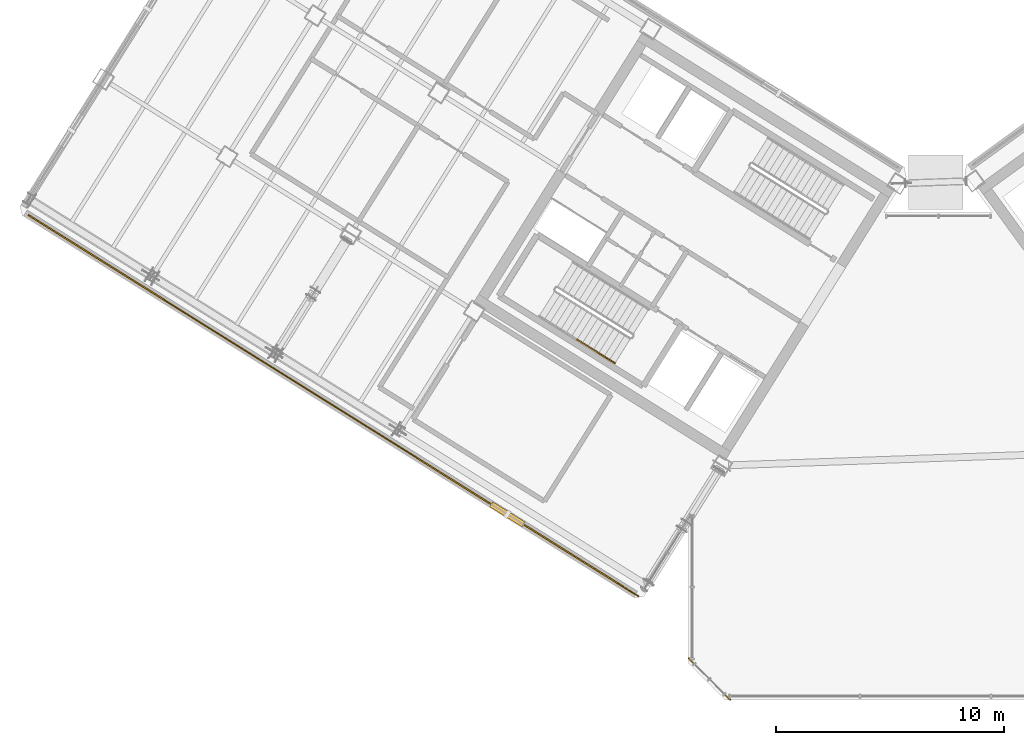
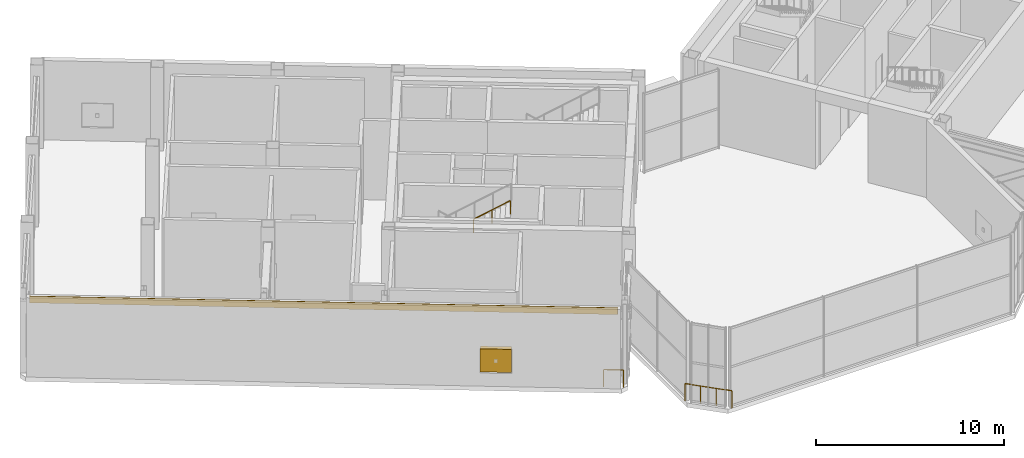
# One storey, part 25 of 32: 3 railings, 1 covering, 1 shading device.
"""IFC4 building model written with IfcOpenShell, lengths in metres."""

from ifc_helpers import new_model, si_unit, direction, frame, origin, origin_2d, place, context, subcontext, project, spatial, rectangle, extrude, source, transform, mapped, material, layer, layer_set, type_object, element, save


model = new_model("IFC4")

# Units and contexts
model_context = context("Model", 3, precision=1e-05, world=origin(), true_north=direction((0.0, 1.0)))
body_context = subcontext(model_context, "Body", "Model", "MODEL_VIEW")
ifc_project = project(units=[si_unit("LENGTHUNIT", "METRE"), si_unit("AREAUNIT", "SQUARE_METRE"), si_unit("VOLUMEUNIT", "CUBIC_METRE"), si_unit("PLANEANGLEUNIT", "RADIAN"), si_unit("MASSUNIT", "GRAM", prefix="KILO")], contexts=[model_context])

# Site, building, storey
site_placement = place(None, origin())
site = spatial("IfcSite", under=ifc_project, at=site_placement, CompositionType="ELEMENT")
building_placement = place(site_placement, origin())
building = spatial("IfcBuilding", under=site, at=building_placement, Name="Tlacorven Tower", CompositionType="ELEMENT")
storey_placement = place(building_placement, frame((0.0, 0.0, 245.699951171875)))
storey = spatial("IfcBuildingStorey", under=building, at=storey_placement, Name="L62", CompositionType="ELEMENT", Elevation=245.699951171875)

# Railings
ifc_material_1 = material(Name="Aluminium and painted steel balustrade", Category="steel")
railing_type_1 = type_object("IfcRailingType", Name="RL-GRD-1150", PredefinedType="GUARDRAIL", material=ifc_material_1)
shared_shape_1 = source(origin(), body_context, "Body", "SweptSolid", [
    extrude(rectangle(XDim=0.048095703125, YDim=0.048095703125, at=origin_2d()), frame((0.0, 0.0, 1.1259765625), z_axis=(-0.707106781187, 0.707106781187, 0.0), x_axis=(-0.707106781187, -0.707106781187, 0.0)), (0.0, 0.0, 1.0), 2.590087890625),
    extrude(rectangle(XDim=0.0419921875, YDim=0.0419921875, at=origin_2d()), origin(), (0.0, 0.0, 1.0), 1.101806640625),
    extrude(rectangle(XDim=0.0419921875, YDim=0.0419921875, at=origin_2d()), frame((-0.610595703125, 0.610595703125, 0.0)), (0.0, 0.0, 1.0), 1.101806640625),
    extrude(rectangle(XDim=0.0419921875, YDim=0.0419921875, at=origin_2d()), frame((-1.220947265625, 1.220947265625, 0.0)), (0.0, 0.0, 1.0), 1.101806640625),
    extrude(rectangle(XDim=0.0419921875, YDim=0.0419921875, at=origin_2d()), frame((-1.83154296875, 1.83154296875, 0.0)), (0.0, 0.0, 1.0), 1.101806640625),
])
railing_1_placement = place(storey_placement, frame((33.428955078125, 1.79736328125, 0.0)))
element("IfcRailing", 1, at=railing_1_placement, inside=storey, type_object=railing_type_1, Name="L62 Knuckle Glazed Sill Guard 1", PredefinedType="GUARDRAIL", context=body_context, shape_type="MappedRepresentation", body=[
    mapped(shared_shape_1, transform((0.0, 0.0, 0.0), scale=1.0)),
])
shared_shape_2 = source(origin(), body_context, "Body", "SweptSolid", [
    extrude(rectangle(XDim=0.048095703125, YDim=0.048095703125, at=origin_2d()), frame((0.0, 0.0, 1.1259765625), z_axis=(-0.848102774857, 0.529831749973, 0.0), x_axis=(-0.529831749973, -0.848102774857, 0.0)), (0.0, 0.0, 1.0), 1.050048828125),
    extrude(rectangle(XDim=0.0419921875, YDim=0.0419921875, at=origin_2d()), origin(), (0.0, 0.0, 1.0), 1.101806640625),
    extrude(rectangle(XDim=0.0419921875, YDim=0.0419921875, at=origin_2d()), frame((-0.890625, 0.556396484375, 0.0)), (0.0, 0.0, 1.0), 1.101806640625),
])
railing_2_placement = place(storey_placement, frame((29.39501953125, 6.35009765625, 0.0)))
element("IfcRailing", 2, at=railing_2_placement, inside=storey, type_object=railing_type_1, Name="L62 Knuckle Glazed Sill Guard 2", PredefinedType="GUARDRAIL", context=body_context, shape_type="MappedRepresentation", body=[
    mapped(shared_shape_2, transform((0.0, 0.0, 0.0), scale=1.0)),
])

# Covering
ifc_material_2 = material(Name="Precast concrete C45/55", Category="concrete")
ifc_layer = layer(ifc_material_2, 0.06005859375)
ifc_layer_set = layer_set([ifc_layer], Name="Precast concrete C45/55")
covering_type = type_object("IfcCoveringType", Name="CV-CLD-TERC", PredefinedType="CLADDING", material=ifc_layer_set)
shared_shape_3 = source(origin(), body_context, "Body", "SweptSolid", [
    extrude(rectangle(XDim=31.287353515625, YDim=0.06005859375, at=origin_2d()), origin(), (0.0, 0.0, 1.0), 0.419921875),
])
covering_placement = place(storey_placement, frame((15.8740234375, 14.798828125, 4.72998046875), z_axis=(0.0, 0.0, 1.0), x_axis=(-0.84804812172, 0.529919223323, 0.0)))
element("IfcCovering", 3, at=covering_placement, inside=storey, type_object=covering_type, Name="L62 Masonry-Frame Spandrel Cladding 1", PredefinedType="CLADDING", context=body_context, shape_type="MappedRepresentation", body=[
    mapped(shared_shape_3, transform((0.0, 0.0, 0.0), scale=1.0)),
])

# Shading device
ifc_material_3 = material(Name="Anodised bronze aluminium acoustic louvre", Category="aluminium")
shading_device_type = type_object("IfcShadingDeviceType", Name="SH-LVR-WND", PredefinedType="JALOUSIE", material=ifc_material_3)
shared_shape_4 = source(origin(), body_context, "Body", "SweptSolid", [
    extrude(rectangle(XDim=1.659912109375, YDim=0.25, at=origin_2d()), origin(), (0.0, 0.0, 1.0), 1.5),
])
shading_device_placement = place(storey_placement, frame((23.643310546875, 9.94384765625, 0.900146484375), z_axis=(0.0, 0.0, 1.0), x_axis=(-0.84804812172, 0.529919223323, 0.0)))
element("IfcShadingDevice", 4, at=shading_device_placement, inside=storey, type_object=shading_device_type, Name="L62 Storm-Resistant Acoustic Louvre Bank 1.1", PredefinedType="JALOUSIE", context=body_context, shape_type="MappedRepresentation", body=[
    mapped(shared_shape_4, transform((0.0, 0.0, 0.0), scale=1.0)),
])

# Railing
railing_type_2 = type_object("IfcRailingType", Name="RL-HND-0900", PredefinedType="HANDRAIL", material=ifc_material_1)
shared_shape_5 = source(origin(), body_context, "Body", "SweptSolid", [
    extrude(rectangle(XDim=0.048095703125, YDim=0.048095703125, at=origin_2d()), frame((0.0, 0.0, 0.8759765625), z_axis=(0.713353726602, -0.445741297439, 0.540778287749), x_axis=(0.52990936055, 0.848054284584, 0.0)), (0.0, 0.0, 1.0), 2.330078125),
    extrude(rectangle(XDim=0.0419921875, YDim=0.0419921875, at=origin_2d()), origin(), (0.0, 0.0, 1.0), 0.851806640625),
    extrude(rectangle(XDim=0.0419921875, YDim=0.0419921875, at=origin_2d()), frame((0.8310546875, -0.519287109375, 0.6298828125)), (0.0, 0.0, 1.0), 0.851806640625),
    extrude(rectangle(XDim=0.0419921875, YDim=0.0419921875, at=origin_2d()), frame((1.662109375, -1.03857421875, 1.260009765625)), (0.0, 0.0, 1.0), 0.851806640625),
])
railing_3_placement = place(storey_placement, frame((26.70361328125, 17.618408203125, 4.14013671875)))
element("IfcRailing", 5, at=railing_3_placement, inside=storey, type_object=railing_type_2, Name="L62 ST-W1 stair handrail 4", PredefinedType="HANDRAIL", context=body_context, shape_type="MappedRepresentation", body=[
    mapped(shared_shape_5, transform((0.0, 0.0, 0.0), scale=1.0)),
])

save(model, "model.ifc")
